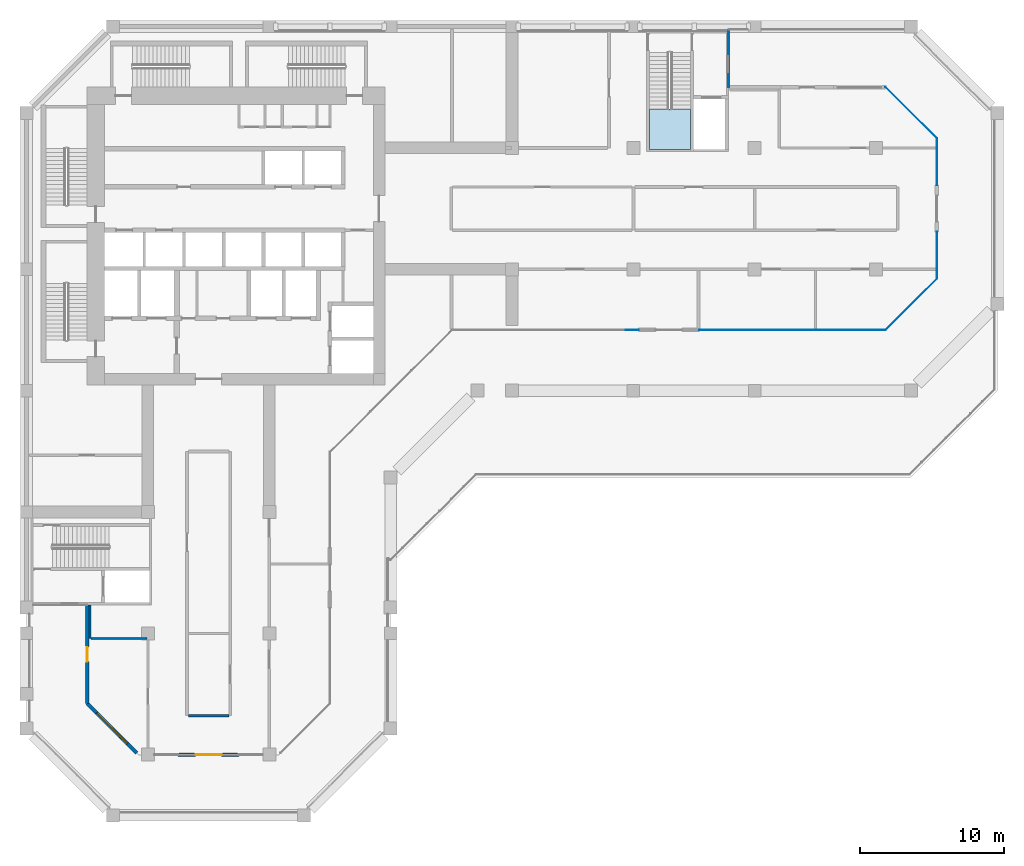
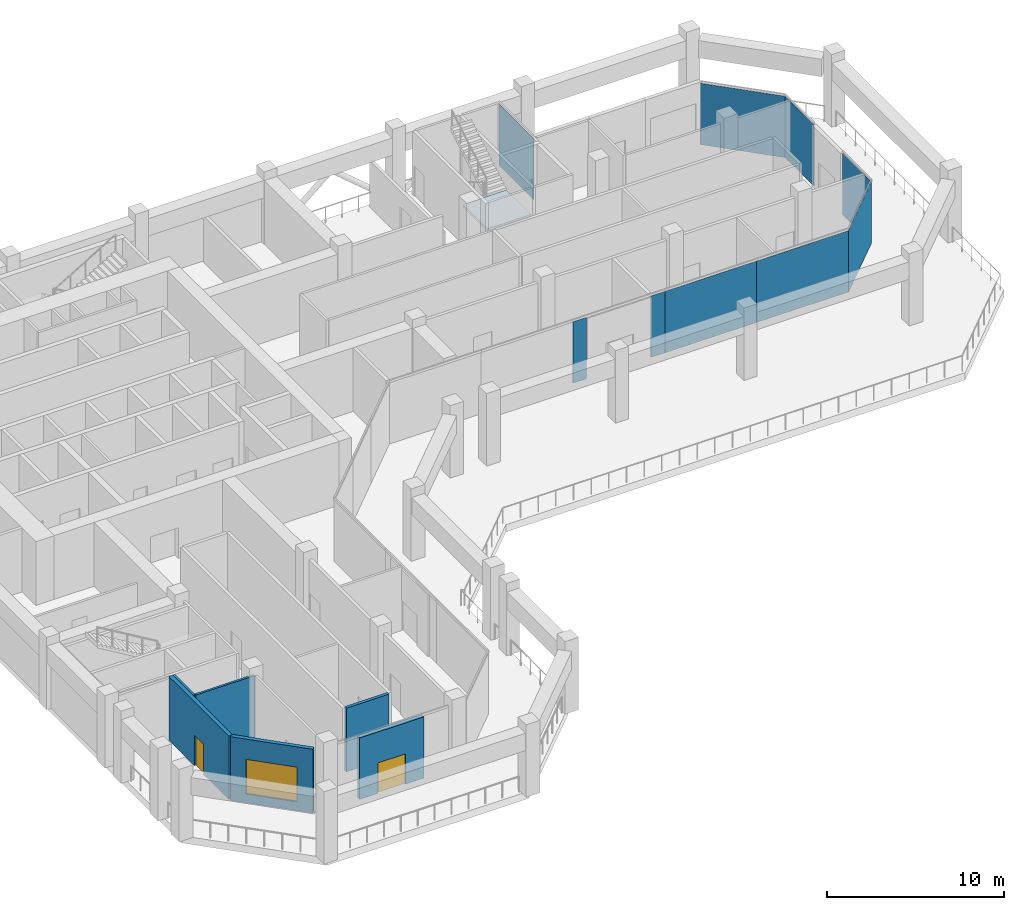
# One storey, part 4 of 14: 9 plates, 6 walls, 2 doors, 1 slab, 1 window, 3 openings, 6 elements without a shape of their own.
"""IFC4 building model written with IfcOpenShell, lengths in metres."""

from ifc_helpers import new_model, si_unit, direction, frame, frame_2d, origin, origin_2d, place, context, subcontext, project, spatial, polyline, rectangle, outline, extrude, material, layer, layer_set, type_object, element, fill, aggregate, save


model = new_model("IFC4")

# Units and contexts
model_context = context("Model", 3, precision=1e-05, world=origin(), true_north=direction((0.0, 1.0)))
body_context = subcontext(model_context, "Body", "Model", "MODEL_VIEW")
ifc_project = project(units=[si_unit("LENGTHUNIT", "METRE"), si_unit("AREAUNIT", "SQUARE_METRE"), si_unit("VOLUMEUNIT", "CUBIC_METRE"), si_unit("PLANEANGLEUNIT", "RADIAN"), si_unit("MASSUNIT", "GRAM", prefix="KILO")], contexts=[model_context])

# Site, building, storey
site_placement = place(None, origin())
site = spatial("IfcSite", under=ifc_project, at=site_placement, CompositionType="ELEMENT")
building_placement = place(site_placement, origin())
building = spatial("IfcBuilding", under=site, at=building_placement, Name="Kawkab Arch Medical Tower", CompositionType="ELEMENT")
storey_placement = place(building_placement, frame((0.0, 0.0, 213.0)))
storey = spatial("IfcBuildingStorey", under=building, at=storey_placement, Name="L49", CompositionType="ELEMENT", Elevation=213.0)

# Curtain wall, plates
ifc_material_1 = material(Name="Bronze anodised aluminium curtain wall frame", Category="aluminium")
ifc_layer_1 = layer(ifc_material_1, 0.159912109375)
ifc_layer_set_1 = layer_set([ifc_layer_1], Name="Bronze anodised aluminium curtain wall frame")
curtain_wall_type = type_object("IfcCurtainWallType", Name="CW4 refuge floor fire-protected glazing", PredefinedType="NOTDEFINED", material=ifc_layer_set_1)
placement = place(storey_placement, origin())
curtain_wall_1 = element("IfcCurtainWall", 1, at=placement, inside=storey, type_object=curtain_wall_type, Name="CW4 Refuge floor fire-protected glazing R11", PredefinedType="NOTDEFINED")
ifc_material_2 = material(Name="Fire-resisting laminated glass", Category="glass")
ifc_layer_2 = layer(ifc_material_2, 0.0400390625)
ifc_layer_set_2 = layer_set([ifc_layer_2], Name="Fire-resisting laminated glass")
plate_type = type_object("IfcPlateType", Name="CW4 glazing unit 40", PredefinedType="CURTAIN_PANEL", material=ifc_layer_set_2)
plate_1_placement = place(storey_placement, frame((41.909912109375, -21.0, 0.0), z_axis=(0.0, 0.0, 1.0), x_axis=(1.0, 0.0, 0.0)))
plate_1 = element("IfcPlate", 2, at=plate_1_placement, type_object=plate_type, Name="CW4 glazing unit 3.1", PredefinedType="CURTAIN_PANEL", context=body_context, shape_type="SweptSolid", body=[
    extrude(rectangle(XDim=0.89990234375, YDim=0.0400390625, at=origin_2d()), origin(), (0.0, 0.0, 1.0), 4.239990234375),
])
plate_2_placement = place(storey_placement, frame((47.010009765625, -21.0, 0.0), z_axis=(0.0, 0.0, 1.0), x_axis=(1.0, 0.0, 0.0)))
plate_2 = element("IfcPlate", 3, at=plate_2_placement, type_object=plate_type, Name="CW4 glazing unit 3.3", PredefinedType="CURTAIN_PANEL", context=body_context, shape_type="SweptSolid", body=[
    extrude(rectangle(XDim=0.89990234375, YDim=0.0400390625, at=origin_2d()), origin(), (0.0, 0.0, 1.0), 4.239990234375),
])
plate_3_placement = place(storey_placement, frame((50.4599609375, -21.0, 0.0), z_axis=(0.0, 0.0, 1.0), x_axis=(1.0, 0.0, 0.0)))
plate_3 = element("IfcPlate", 4, at=plate_3_placement, type_object=plate_type, Name="CW4 glazing unit 4.1", PredefinedType="CURTAIN_PANEL", context=body_context, shape_type="SweptSolid", body=[
    extrude(rectangle(XDim=6.0, YDim=0.0400390625, at=origin_2d()), origin(), (0.0, 0.0, 1.0), 4.239990234375),
])
plate_4_placement = place(storey_placement, frame((56.4599609375, -21.0, 0.0), z_axis=(0.0, 0.0, 1.0), x_axis=(1.0, 0.0, 0.0)))
plate_4 = element("IfcPlate", 5, at=plate_4_placement, type_object=plate_type, Name="CW4 glazing unit 5.1", PredefinedType="CURTAIN_PANEL", context=body_context, shape_type="SweptSolid", body=[
    extrude(rectangle(XDim=6.0, YDim=0.0400390625, at=origin_2d()), origin(), (0.0, 0.0, 1.0), 4.239990234375),
])
aggregate(curtain_wall_1, [plate_1, plate_2, plate_3, plate_4])

# Curtain wall, plate
curtain_wall_2 = element("IfcCurtainWall", 6, at=placement, inside=storey, type_object=curtain_wall_type, Name="CW4 Refuge floor fire-protected glazing R12", PredefinedType="NOTDEFINED")
plate_5_placement = place(storey_placement, frame((61.22998046875, -19.22998046875, 0.0), z_axis=(0.0, 0.0, 1.0), x_axis=(0.707106781187, 0.707106781187, 0.0)))
plate_5 = element("IfcPlate", 7, at=plate_5_placement, type_object=plate_type, Name="CW4 glazing unit 1.1", PredefinedType="CURTAIN_PANEL", context=body_context, shape_type="SweptSolid", body=[
    extrude(rectangle(XDim=5.00634765625, YDim=0.0400390625, at=origin_2d()), origin(), (0.0, 0.0, 1.0), 4.239990234375),
])
aggregate(curtain_wall_2, [plate_5])

# Curtain wall, plates
curtain_wall_3 = element("IfcCurtainWall", 8, at=placement, inside=storey, type_object=curtain_wall_type, Name="CW4 Refuge floor fire-protected glazing R13", PredefinedType="NOTDEFINED")
plate_6_placement = place(storey_placement, frame((63.0009765625, -15.840087890625, 0.0), z_axis=(0.0, 0.0, 1.0), x_axis=(0.0, 1.0, 0.0)))
plate_6 = element("IfcPlate", 9, at=plate_6_placement, type_object=plate_type, Name="CW4 glazing unit 1.1", PredefinedType="CURTAIN_PANEL", context=body_context, shape_type="SweptSolid", body=[
    extrude(rectangle(XDim=3.239990234375, YDim=0.0400390625, at=origin_2d()), origin(), (0.0, 0.0, 1.0), 4.239990234375),
])
plate_7_placement = place(storey_placement, frame((63.0009765625, -9.360107421875, 0.0), z_axis=(0.0, 0.0, 1.0), x_axis=(0.0, 1.0, 0.0)))
plate_7 = element("IfcPlate", 10, at=plate_7_placement, type_object=plate_type, Name="CW4 glazing unit 3.1", PredefinedType="CURTAIN_PANEL", context=body_context, shape_type="SweptSolid", body=[
    extrude(rectangle(XDim=3.239990234375, YDim=0.0400390625, at=origin_2d()), origin(), (0.0, 0.0, 1.0), 4.239990234375),
])
aggregate(curtain_wall_3, [plate_6, plate_7])

# Curtain wall, plate
curtain_wall_4 = element("IfcCurtainWall", 11, at=placement, inside=storey, type_object=curtain_wall_type, Name="CW4 Refuge floor fire-protected glazing R14", PredefinedType="NOTDEFINED")
plate_8_placement = place(storey_placement, frame((61.22998046875, -5.969970703125, 0.0), z_axis=(0.0, 0.0, 1.0), x_axis=(-0.707106781187, 0.707106781187, 0.0)))
plate_8 = element("IfcPlate", 12, at=plate_8_placement, type_object=plate_type, Name="CW4 glazing unit 1.1", PredefinedType="CURTAIN_PANEL", context=body_context, shape_type="SweptSolid", body=[
    extrude(rectangle(XDim=5.00634765625, YDim=0.0400390625, at=origin_2d()), origin(), (0.0, 0.0, 1.0), 4.239990234375),
])
aggregate(curtain_wall_4, [plate_8])

curtain_wall_5 = element("IfcCurtainWall", 13, at=placement, inside=storey, type_object=curtain_wall_type, Name="CW4 Refuge floor fire-protected glazing R16", PredefinedType="NOTDEFINED")
plate_9_placement = place(storey_placement, frame((48.60107421875, -2.25, 0.0), z_axis=(0.0, 0.0, 1.0), x_axis=(0.0, 1.0, 0.0)))
plate_9 = element("IfcPlate", 14, at=plate_9_placement, type_object=plate_type, Name="CW4 glazing unit 1.1", PredefinedType="CURTAIN_PANEL", context=body_context, shape_type="SweptSolid", body=[
    extrude(rectangle(XDim=3.89990234375, YDim=0.0400390625, at=origin_2d()), origin(), (0.0, 0.0, 1.0), 4.239990234375),
])
aggregate(curtain_wall_5, [plate_9])

# Stair, slab
ifc_material_3 = material(Name="Concrete C40/50", Category="concrete")
stair_type = type_object("IfcStairType", Name="Exit stair 1350", PredefinedType="HALF_TURN_STAIR", material=ifc_material_3)
stair = element("IfcStair", 15, at=placement, inside=storey, type_object=stair_type, Name="L49 Exit stair ST5", PredefinedType="HALF_TURN_STAIR")
ifc_material_4 = material(Name="Concrete C40/50", Category="concrete")
ifc_layer_3 = layer(ifc_material_4, 0.199951171875)
ifc_layer_set_3 = layer_set([ifc_layer_3], Name="Concrete C40/50")
slab_type = type_object("IfcSlabType", Name="Exit stair landing 200", PredefinedType="LANDING", material=ifc_layer_set_3)
slab_placement = place(storey_placement, frame((0.0, 0.0, 2.300048828125)))
slab = element("IfcSlab", 16, at=slab_placement, type_object=slab_type, Name="ST5 landing 1", PredefinedType="LANDING", context=body_context, shape_type="SweptSolid", body=[
    extrude(outline(polyline([(43.10009765625, -5.719970703125), (43.10009765625, -8.5), (45.949951171875, -8.5), (45.949951171875, -5.719970703125), (43.10009765625, -5.719970703125)])), origin(), (0.0, 0.0, 1.0), 0.199951171875),
])
aggregate(stair, [slab])

# Wall, opening, door
ifc_material_5 = material(Name="Bronze clad insulated wall panel")
ifc_layer_4 = layer(ifc_material_5, 0.25)
ifc_layer_set_4 = layer_set([ifc_layer_4], Name="Bronze clad insulated wall panel")
wall_type_1 = type_object("IfcWallType", Name="External wall bay 250", PredefinedType="SOLIDWALL", material=ifc_layer_set_4)
wall_1_placement = place(storey_placement, frame((4.199951171875, -40.050048828125, 0.0), z_axis=(0.0, 0.0, 1.0), x_axis=(0.0, -1.0, 0.0)))
wall_1 = element("IfcWall", 17, at=wall_1_placement, inside=storey, type_object=wall_type_1, Name="Plant wall L49.R05.1", PredefinedType="SOLIDWALL", context=body_context, shape_type="SweptSolid", body=[
    extrude(rectangle(XDim=6.81005859375, YDim=0.25, at=frame_2d((3.405029296875, 0.0))), origin(), (0.0, 0.0, 1.0), 4.39990234375),
])
opening_1_placement = place(wall_1_placement, frame((2.905029296875, 0.0, 0.0)))
opening_1 = element("IfcOpeningElement", 18, at=opening_1_placement, cuts=wall_1, Name="Opening PL2B-701", PredefinedType="OPENING", context=body_context, shape_type="SweptSolid", body=[
    extrude(rectangle(XDim=1.0, YDim=2.10009765625, at=frame_2d((0.5, 1.050048828125))), frame((0.0, 0.135009765625, 0.0), z_axis=(0.0, -1.0, 0.0), x_axis=(1.0, 0.0, 0.0)), (0.0, 0.0, 1.0), 0.27001953125),
])
ifc_material_6 = material(Name="Bronze anodised aluminium door with tinted glass", Category="aluminium")
door_type_1 = type_object("IfcDoorType", Name="Single external door 1000 x 2100", OperationType="SINGLE_SWING_LEFT", PredefinedType="DOOR", material=ifc_material_6)
door_1_placement = place(opening_1_placement, origin())
door_1 = element("IfcDoor", 19, at=door_1_placement, inside=storey, type_object=door_type_1, Name="Roof terrace door L49.R05.1", OperationType="SINGLE_SWING_LEFT", OverallHeight=2.10009765625, OverallWidth=1.0, PredefinedType="DOOR", context=body_context, shape_type="SweptSolid", body=[
    extrude(rectangle(XDim=1.0, YDim=2.10009765625, at=frame_2d((0.5, 1.050048828125))), frame((0.0, 0.02490234375, 0.0), z_axis=(0.0, -1.0, 0.0), x_axis=(1.0, 0.0, 0.0)), (0.0, 0.0, 1.0), 0.050048828125),
])
fill(opening_1, door_1)

# Wall, opening, window
wall_2_placement = place(storey_placement, frame((4.199951171875, -46.860107421875, 0.0), z_axis=(0.0, 0.0, 1.0), x_axis=(0.707132019226, -0.707081542246, 0.0)))
wall_2 = element("IfcWall", 20, at=wall_2_placement, inside=storey, type_object=wall_type_1, Name="Plant wall L49.R06.1", PredefinedType="SOLIDWALL", context=body_context, shape_type="SweptSolid", body=[
    extrude(rectangle(XDim=4.836669921875, YDim=0.25, at=frame_2d((2.41845703125, 0.0))), origin(), (0.0, 0.0, 1.0), 4.39990234375),
])
opening_2_placement = place(wall_2_placement, frame((0.918212890625, 0.0, 0.60009765625)))
opening_2 = element("IfcOpeningElement", 21, at=opening_2_placement, cuts=wall_2, Name="Opening PW300-24-S6", PredefinedType="OPENING", context=body_context, shape_type="SweptSolid", body=[
    extrude(rectangle(XDim=3.0, YDim=2.39990234375, at=frame_2d((1.5, 1.199951171875))), frame((0.0, 0.135009765625, 0.0), z_axis=(0.0, -1.0, 0.0), x_axis=(1.0, 0.0, 0.0)), (0.0, 0.0, 1.0), 0.27001953125),
])
ifc_material_7 = material(Name="Bronze anodised aluminium louvred window", Category="aluminium")
window_type = type_object("IfcWindowType", Name="Plant louvre window 3000 x 2400 sill 600", PartitioningType="DOUBLE_PANEL_VERTICAL", PredefinedType="WINDOW", material=ifc_material_7)
window_placement = place(opening_2_placement, origin())
window = element("IfcWindow", 22, at=window_placement, inside=storey, type_object=window_type, Name="Plant louvre window L49.R06.1", OverallHeight=2.39990234375, OverallWidth=3.0, PartitioningType="SINGLE_PANEL", PredefinedType="WINDOW", context=body_context, shape_type="SweptSolid", body=[
    extrude(rectangle(XDim=3.0, YDim=2.39990234375, at=frame_2d((1.5, 1.199951171875))), frame((0.0, 0.030029296875, 0.0), z_axis=(0.0, -1.0, 0.0), x_axis=(1.0, 0.0, 0.0)), (0.0, 0.0, 1.0), 0.06005859375),
])
fill(opening_2, window)

# Wall, opening, door
wall_3_placement = place(storey_placement, frame((10.5, -50.40087890625, 0.0), z_axis=(0.0, 0.0, 1.0), x_axis=(1.0, 0.0, 0.0)))
wall_3 = element("IfcWall", 23, at=wall_3_placement, inside=storey, type_object=wall_type_1, Name="External wall bay L49.R07.1.2", PredefinedType="SOLIDWALL", context=body_context, shape_type="SweptSolid", body=[
    extrude(rectangle(XDim=4.199951171875, YDim=0.25, at=frame_2d((2.10009765625, 0.0))), origin(), (0.0, 0.0, 1.0), 4.239990234375),
])
opening_3_placement = place(wall_3_placement, frame((1.199951171875, 0.0, 0.0)))
opening_3 = element("IfcOpeningElement", 24, at=opening_3_placement, cuts=wall_3, Name="Opening PL2B-702", PredefinedType="OPENING", context=body_context, shape_type="SweptSolid", body=[
    extrude(rectangle(XDim=1.800048828125, YDim=2.10009765625, at=frame_2d((0.89990234375, 1.050048828125))), frame((0.0, 0.135009765625, 0.0), z_axis=(0.0, -1.0, 0.0), x_axis=(1.0, 0.0, 0.0)), (0.0, 0.0, 1.0), 0.27001953125),
])
ifc_material_8 = material(Name="Bronze anodised aluminium door with tinted glass", Category="aluminium")
door_type_2 = type_object("IfcDoorType", Name="Double external door 1800 x 2100", OperationType="DOUBLE_DOOR_SINGLE_SWING", PredefinedType="DOOR", material=ifc_material_8)
door_2_placement = place(opening_3_placement, origin())
door_2 = element("IfcDoor", 25, at=door_2_placement, inside=storey, type_object=door_type_2, Name="External door L49.R07.1.2", OperationType="DOUBLE_DOOR_SINGLE_SWING", OverallHeight=2.10009765625, OverallWidth=1.800048828125, PredefinedType="DOOR", context=body_context, shape_type="SweptSolid", body=[
    extrude(rectangle(XDim=1.800048828125, YDim=2.10009765625, at=frame_2d((0.89990234375, 1.050048828125))), frame((0.0, 0.02490234375, 0.0), z_axis=(0.0, -1.0, 0.0), x_axis=(1.0, 0.0, 0.0)), (0.0, 0.0, 1.0), 0.050048828125),
])
fill(opening_3, door_2)

# Walls
ifc_material_9 = material(Name="Gypsum board partition on steel studs, mineral wool", Category="steel")
ifc_layer_5 = layer(ifc_material_9, 0.14990234375)
ifc_layer_set_5 = layer_set([ifc_layer_5], Name="Gypsum board partition on steel studs, mineral wool")
wall_type_2 = type_object("IfcWallType", Name="Partition 150", PredefinedType="PARTITIONING", material=ifc_layer_set_5)
wall_4_placement = place(storey_placement, frame((4.47509765625, -42.35009765625, 0.0), z_axis=(0.0, 0.0, 1.0), x_axis=(1.0, 0.0, 0.0)))
element("IfcWall", 26, at=wall_4_placement, inside=storey, type_object=wall_type_2, Name="Partition 150 w001", PredefinedType="PARTITIONING", context=body_context, shape_type="SweptSolid", body=[
    extrude(rectangle(XDim=3.847900390625, YDim=0.14990234375, at=frame_2d((1.923828125, 0.0))), origin(), (0.0, 0.0, 1.0), 4.39990234375),
])
wall_5_placement = place(storey_placement, frame((4.39990234375, -42.35009765625, 0.0), z_axis=(0.0, 0.0, 1.0), x_axis=(0.0, 1.0, 0.0)))
element("IfcWall", 27, at=wall_5_placement, inside=storey, type_object=wall_type_2, Name="Partition 150 w009", PredefinedType="PARTITIONING", context=body_context, shape_type="SweptSolid", body=[
    extrude(rectangle(XDim=2.299072265625, YDim=0.14990234375, at=frame_2d((1.1494140625, 0.0))), origin(), (0.0, 0.0, 1.0), 4.39990234375),
])
ifc_material_10 = material(Name="Fire-rated gypsum board partition on steel studs", Category="steel")
ifc_layer_6 = layer(ifc_material_10, 0.199951171875)
ifc_layer_set_6 = layer_set([ifc_layer_6], Name="Fire-rated gypsum board partition on steel studs")
wall_type_3 = type_object("IfcWallType", Name="Protected partition 200", PredefinedType="PARTITIONING", material=ifc_layer_set_6)
wall_6_placement = place(storey_placement, frame((11.202880859375, -47.699951171875, 0.0), z_axis=(0.0, 0.0, 1.0), x_axis=(1.0, 0.0, 0.0)))
element("IfcWall", 28, at=wall_6_placement, inside=storey, type_object=wall_type_3, Name="Protected partition 200 w015", PredefinedType="PARTITIONING", context=body_context, shape_type="SweptSolid", body=[
    extrude(rectangle(XDim=2.797119140625, YDim=0.199951171875, at=frame_2d((1.3984375, 0.0))), origin(), (0.0, 0.0, 1.0), 4.39990234375),
])

save(model, "model.ifc")
